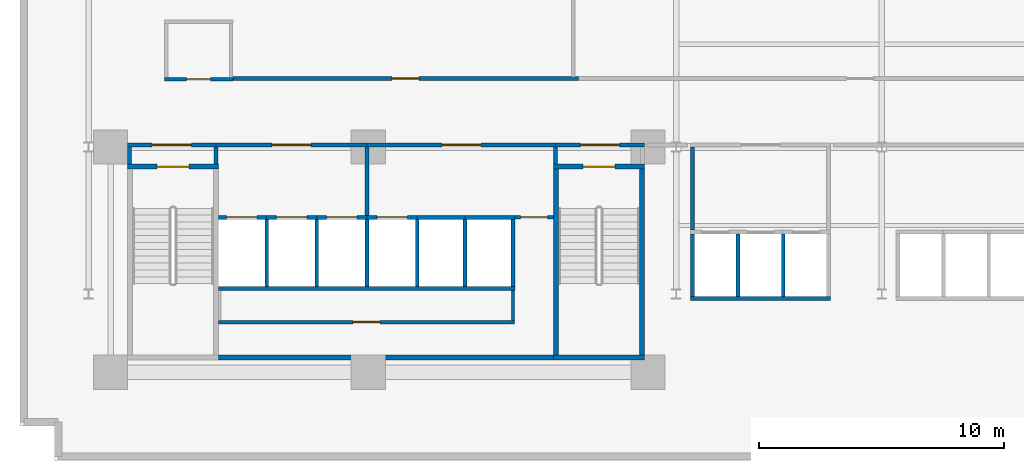
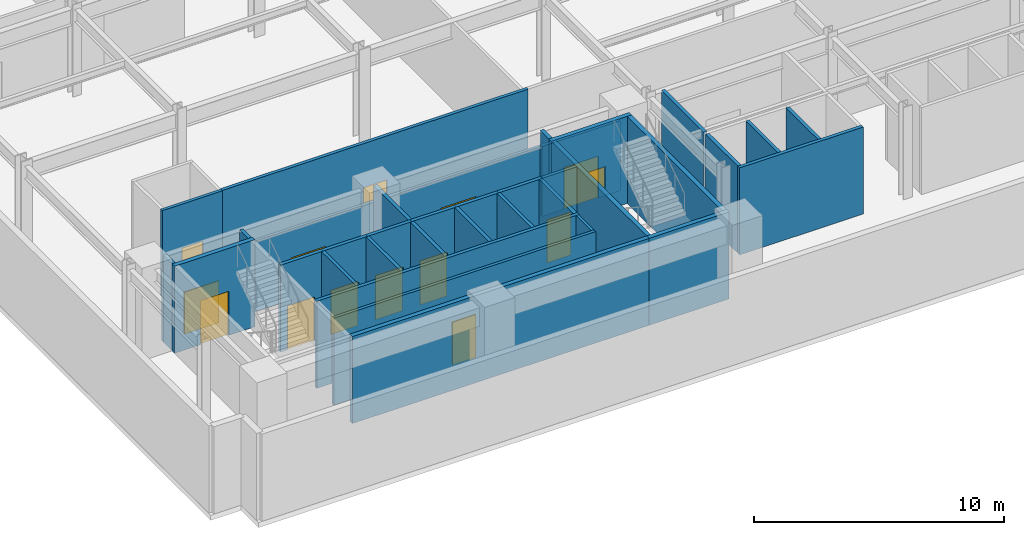
# One storey, part 14 of 26: 37 walls, 14 doors, 14 openings.
"""IFC4 building model written with IfcOpenShell, lengths in metres."""

from ifc_helpers import new_model, si_unit, direction, frame, frame_2d, origin, place, context, subcontext, project, spatial, rectangle, extrude, material, layer, layer_set, type_object, element, fill, save


model = new_model("IFC4")

# Units and contexts
model_context = context("Model", 3, precision=1e-05, world=origin(), true_north=direction((0.0, 1.0)))
body_context = subcontext(model_context, "Body", "Model", "MODEL_VIEW")
ifc_project = project(units=[si_unit("LENGTHUNIT", "METRE"), si_unit("AREAUNIT", "SQUARE_METRE"), si_unit("VOLUMEUNIT", "CUBIC_METRE"), si_unit("PLANEANGLEUNIT", "RADIAN"), si_unit("MASSUNIT", "GRAM", prefix="KILO")], contexts=[model_context])

# Site, building, storey
site_placement = place(None, origin())
site = spatial("IfcSite", under=ifc_project, at=site_placement, CompositionType="ELEMENT")
building_placement = place(site_placement, origin())
building = spatial("IfcBuilding", under=site, at=building_placement, Name="Varnakote Quay Hospital", CompositionType="ELEMENT")
storey_placement = place(building_placement, frame((0.0, 0.0, 9.0)))
storey = spatial("IfcBuildingStorey", under=building, at=storey_placement, Name="L02", CompositionType="ELEMENT", Elevation=9.0)

# Wall
ifc_material_1 = material(Name="Fire-rated acoustic gypsum stud wall", Category="gypsum")
ifc_layer_1 = layer(ifc_material_1, 0.159912109375)
ifc_layer_set_1 = layer_set([ifc_layer_1], Name="Fire-rated acoustic gypsum stud wall")
wall_type_1 = type_object("IfcWallType", Name="WL-COMP-160", PredefinedType="PARTITIONING", material=ifc_layer_set_1)
wall_1_placement = place(storey_placement, frame((2.8798828125, 11.300048828125, 0.0), z_axis=(0.0, 0.0, 1.0), x_axis=(0.0, 1.0, 0.0)))
element("IfcWall", 1, at=wall_1_placement, inside=storey, type_object=wall_type_1, Name="L02 West Stair Vestibule West Wall", PredefinedType="PARTITIONING", context=body_context, shape_type="SweptSolid", body=[
    extrude(rectangle(XDim=0.699951171875, YDim=0.159912109375, at=frame_2d((0.35009765625, 0.0))), origin(), (0.0, 0.0, 1.0), 4.25),
])

# Wall, opening, door
wall_2_placement = place(storey_placement, frame((2.800048828125, 12.080078125, 0.0), z_axis=(0.0, 0.0, 1.0), x_axis=(1.0, 0.0, 0.0)))
wall_2 = element("IfcWall", 2, at=wall_2_placement, inside=storey, type_object=wall_type_1, Name="L02 West Stair Vestibule Smoke Wall", PredefinedType="PARTITIONING", context=body_context, shape_type="SweptSolid", body=[
    extrude(rectangle(XDim=3.599853515625, YDim=0.159912109375, at=frame_2d((1.7998046875, 0.0))), origin(), (0.0, 0.0, 1.0), 3.425048828125),
])
opening_1_placement = place(wall_2_placement, frame((1.0, 0.0, 0.0)))
opening_1 = element("IfcOpeningElement", 3, at=opening_1_placement, cuts=wall_2, Name="Opening D-ST1L-L02", PredefinedType="OPENING", context=body_context, shape_type="SweptSolid", body=[
    extrude(rectangle(XDim=1.60009765625, YDim=2.050048828125, at=frame_2d((0.800048828125, 1.02490234375))), frame((0.0, 0.08984375, 0.0), z_axis=(0.0, -1.0, 0.0), x_axis=(1.0, 0.0, 0.0)), (0.0, 0.0, 1.0), 0.179931640625),
])
ifc_material_2 = material(Name="Fire-rated double smoke lobby door")
door_type_1 = type_object("IfcDoorType", Name="DR-LOBBY-FD60S-1600x2150", OperationType="NOTDEFINED", PredefinedType="DOOR", material=ifc_material_2)
door_1_placement = place(opening_1_placement, origin())
door_1 = element("IfcDoor", 4, at=door_1_placement, inside=storey, type_object=door_type_1, Name="L02 West Stair Vestibule Smoke Door", OperationType="DOUBLE_DOOR_SINGLE_SWING", OverallHeight=2.050048828125, OverallWidth=1.60009765625, PredefinedType="DOOR", context=body_context, shape_type="SweptSolid", body=[
    extrude(rectangle(XDim=1.60009765625, YDim=2.050048828125, at=frame_2d((0.800048828125, 1.02490234375))), frame((0.0, 0.02490234375, 0.0), z_axis=(0.0, -1.0, 0.0), x_axis=(1.0, 0.0, 0.0)), (0.0, 0.0, 1.0), 0.050048828125),
])
fill(opening_1, door_1)

# Wall
wall_3_placement = place(storey_placement, frame((6.39990234375, 11.300048828125, 0.0), z_axis=(0.0, 0.0, 1.0), x_axis=(0.0, 1.0, 0.0)))
element("IfcWall", 5, at=wall_3_placement, inside=storey, type_object=wall_type_1, Name="L02 Firefighting Lobby West Wall", PredefinedType="PARTITIONING", context=body_context, shape_type="SweptSolid", body=[
    extrude(rectangle(XDim=0.699951171875, YDim=0.159912109375, at=frame_2d((0.35009765625, 0.0))), origin(), (0.0, 0.0, 1.0), 4.25),
])

# Wall, opening, door
wall_4_placement = place(storey_placement, frame((6.39990234375, 12.080078125, 0.0), z_axis=(0.0, 0.0, 1.0), x_axis=(1.0, 0.0, 0.0)))
wall_4 = element("IfcWall", 6, at=wall_4_placement, inside=storey, type_object=wall_type_1, Name="L02 Firefighting Lift Lobby Compartment Wall", PredefinedType="PARTITIONING", context=body_context, shape_type="SweptSolid", body=[
    extrude(rectangle(XDim=6.18017578125, YDim=0.159912109375, at=frame_2d((3.090087890625, 0.0))), origin(), (0.0, 0.0, 1.0), 3.425048828125),
])
opening_2_placement = place(wall_4_placement, frame((2.2900390625, 0.0, 0.0)))
opening_2 = element("IfcOpeningElement", 7, at=opening_2_placement, cuts=wall_4, Name="Opening D-FFL-L02", PredefinedType="OPENING", context=body_context, shape_type="SweptSolid", body=[
    extrude(rectangle(XDim=1.60009765625, YDim=2.050048828125, at=frame_2d((0.800048828125, 1.02490234375))), frame((0.0, 0.08984375, 0.0), z_axis=(0.0, -1.0, 0.0), x_axis=(1.0, 0.0, 0.0)), (0.0, 0.0, 1.0), 0.179931640625),
])
door_2_placement = place(opening_2_placement, origin())
door_2 = element("IfcDoor", 8, at=door_2_placement, inside=storey, type_object=door_type_1, Name="L02 Firefighting Smoke Vestibule Door", OperationType="DOUBLE_DOOR_SINGLE_SWING", OverallHeight=2.050048828125, OverallWidth=1.60009765625, PredefinedType="DOOR", context=body_context, shape_type="SweptSolid", body=[
    extrude(rectangle(XDim=1.60009765625, YDim=2.050048828125, at=frame_2d((0.800048828125, 1.02490234375))), frame((0.0, 0.02490234375, 0.0), z_axis=(0.0, -1.0, 0.0), x_axis=(1.0, 0.0, 0.0)), (0.0, 0.0, 1.0), 0.050048828125),
])
fill(opening_2, door_2)

# Wall
wall_5_placement = place(storey_placement, frame((12.580078125, 9.2099609375, 0.0), z_axis=(0.0, 0.0, 1.0), x_axis=(0.0, 1.0, 0.0)))
element("IfcWall", 9, at=wall_5_placement, inside=storey, type_object=wall_type_1, Name="L02 Firefighting to Service Lobby Wall", PredefinedType="PARTITIONING", context=body_context, shape_type="SweptSolid", body=[
    extrude(rectangle(XDim=2.7900390625, YDim=0.159912109375, at=frame_2d((1.39501953125, 0.0))), origin(), (0.0, 0.0, 1.0), 4.25),
])

# Wall, opening, door
wall_6_placement = place(storey_placement, frame((12.580078125, 12.080078125, 0.0), z_axis=(0.0, 0.0, 1.0), x_axis=(1.0, 0.0, 0.0)))
wall_6 = element("IfcWall", 10, at=wall_6_placement, inside=storey, type_object=wall_type_1, Name="L02 Clinical Bed Lift Lobby Wall", PredefinedType="PARTITIONING", context=body_context, shape_type="SweptSolid", body=[
    extrude(rectangle(XDim=7.699951171875, YDim=0.159912109375, at=frame_2d((3.85009765625, 0.0))), origin(), (0.0, 0.0, 1.0), 3.425048828125),
])
opening_3_placement = place(wall_6_placement, frame((3.050048828125, 0.0, 0.0)))
opening_3 = element("IfcOpeningElement", 11, at=opening_3_placement, cuts=wall_6, Name="Opening D-SVL-L02", PredefinedType="OPENING", context=body_context, shape_type="SweptSolid", body=[
    extrude(rectangle(XDim=1.60009765625, YDim=2.050048828125, at=frame_2d((0.800048828125, 1.02490234375))), frame((0.0, 0.08984375, 0.0), z_axis=(0.0, -1.0, 0.0), x_axis=(1.0, 0.0, 0.0)), (0.0, 0.0, 1.0), 0.179931640625),
])
door_3_placement = place(opening_3_placement, origin())
door_3 = element("IfcDoor", 12, at=door_3_placement, inside=storey, type_object=door_type_1, Name="L02 Clinical Core Smoke Vestibule Door", OperationType="DOUBLE_DOOR_SINGLE_SWING", OverallHeight=2.050048828125, OverallWidth=1.60009765625, PredefinedType="DOOR", context=body_context, shape_type="SweptSolid", body=[
    extrude(rectangle(XDim=1.60009765625, YDim=2.050048828125, at=frame_2d((0.800048828125, 1.02490234375))), frame((0.0, 0.02490234375, 0.0), z_axis=(0.0, -1.0, 0.0), x_axis=(1.0, 0.0, 0.0)), (0.0, 0.0, 1.0), 0.050048828125),
])
fill(opening_3, door_3)

# Wall
wall_7_placement = place(storey_placement, frame((20.280029296875, 11.300048828125, 0.0), z_axis=(0.0, 0.0, 1.0), x_axis=(0.0, 1.0, 0.0)))
element("IfcWall", 13, at=wall_7_placement, inside=storey, type_object=wall_type_1, Name="L02 East Stair Vestibule Divider Wall", PredefinedType="PARTITIONING", context=body_context, shape_type="SweptSolid", body=[
    extrude(rectangle(XDim=0.699951171875, YDim=0.159912109375, at=frame_2d((0.35009765625, 0.0))), origin(), (0.0, 0.0, 1.0), 4.25),
])

# Wall, opening, door
wall_8_placement = place(storey_placement, frame((20.280029296875, 12.080078125, 0.0), z_axis=(0.0, 0.0, 1.0), x_axis=(1.0, 0.0, 0.0)))
wall_8 = element("IfcWall", 14, at=wall_8_placement, inside=storey, type_object=wall_type_1, Name="L02 East Stair Vestibule Smoke Wall", PredefinedType="PARTITIONING", context=body_context, shape_type="SweptSolid", body=[
    extrude(rectangle(XDim=3.619873046875, YDim=0.159912109375, at=frame_2d((1.81005859375, 0.0))), origin(), (0.0, 0.0, 1.0), 3.425048828125),
])
opening_4_placement = place(wall_8_placement, frame((1.010009765625, 0.0, 0.0)))
opening_4 = element("IfcOpeningElement", 15, at=opening_4_placement, cuts=wall_8, Name="Opening D-ST2L-L02", PredefinedType="OPENING", context=body_context, shape_type="SweptSolid", body=[
    extrude(rectangle(XDim=1.60009765625, YDim=2.050048828125, at=frame_2d((0.800048828125, 1.02490234375))), frame((0.0, 0.08984375, 0.0), z_axis=(0.0, -1.0, 0.0), x_axis=(1.0, 0.0, 0.0)), (0.0, 0.0, 1.0), 0.179931640625),
])
door_4_placement = place(opening_4_placement, origin())
door_4 = element("IfcDoor", 16, at=door_4_placement, inside=storey, type_object=door_type_1, Name="L02 East Stair Vestibule Smoke Door", OperationType="DOUBLE_DOOR_SINGLE_SWING", OverallHeight=2.050048828125, OverallWidth=1.60009765625, PredefinedType="DOOR", context=body_context, shape_type="SweptSolid", body=[
    extrude(rectangle(XDim=1.60009765625, YDim=2.050048828125, at=frame_2d((0.800048828125, 1.02490234375))), frame((0.0, 0.02490234375, 0.0), z_axis=(0.0, -1.0, 0.0), x_axis=(1.0, 0.0, 0.0)), (0.0, 0.0, 1.0), 0.050048828125),
])
fill(opening_4, door_4)

# Walls
wall_9_placement = place(storey_placement, frame((25.8701171875, 8.610107421875, 0.0), z_axis=(0.0, 0.0, 1.0), x_axis=(0.0, 1.0, 0.0)))
element("IfcWall", 17, at=wall_9_placement, inside=storey, type_object=wall_type_1, Name="L02 Low-Rise Lift Lobby West Wall", PredefinedType="PARTITIONING", context=body_context, shape_type="SweptSolid", body=[
    extrude(rectangle(XDim=3.389892578125, YDim=0.159912109375, at=frame_2d((1.69482421875, 0.0))), origin(), (0.0, 0.0, 1.0), 4.25),
])
ifc_material_3 = material(Name="Concrete N80 (f'c 80 MPa)", Category="concrete")
ifc_layer_2 = layer(ifc_material_3, 0.199951171875)
ifc_layer_set_2 = layer_set([ifc_layer_2], Name="Concrete N80 (f'c 80 MPa)")
wall_type_2 = type_object("IfcWallType", Name="WL-CORE-N80-200", PredefinedType="SHEAR", material=ifc_layer_set_2)
wall_10_placement = place(storey_placement, frame((6.5, 3.39990234375, 0.0), z_axis=(0.0, 0.0, 1.0), x_axis=(1.0, 0.0, 0.0)))
element("IfcWall", 18, at=wall_10_placement, inside=storey, type_object=wall_type_2, Name="L02 Rear Core South Shear Wall", PredefinedType="SHEAR", context=body_context, shape_type="SweptSolid", body=[
    extrude(rectangle(XDim=13.699951171875, YDim=0.199951171875, at=frame_2d((6.85009765625, 0.0))), origin(), (0.0, 0.0, 1.0), 4.25),
])
ifc_material_4 = material(Name="Concrete N50 (f'c 50 MPa)", Category="concrete")
ifc_layer_3 = layer(ifc_material_4, 0.14990234375)
ifc_layer_set_3 = layer_set([ifc_layer_3], Name="Concrete N50 (f'c 50 MPa)")
wall_type_3 = type_object("IfcWallType", Name="WL-SHAFT-N50-150", PredefinedType="SHEAR", material=ifc_layer_set_3)
for number, where, z_axis, x_axis, name in (
    (19, (8.47509765625, 6.300048828125, 0.0), (0.0, 0.0, 1.0), (0.0, 1.0, 0.0), "L02 LF-FF1 Hoistway Divider Wall"),
    (20, (10.52490234375, 6.300048828125, 0.0), (0.0, 0.0, 1.0), (0.0, 1.0, 0.0), "L02 LF-FF2 Hoistway Divider Wall"),
    (21, (12.574951171875, 6.300048828125, 0.0), (0.0, 0.0, 1.0), (0.0, 1.0, 0.0), "L02 LF-SV1 Hoistway Divider Wall"),
    (22, (14.625, 6.300048828125, 0.0), (0.0, 0.0, 1.0), (0.0, 1.0, 0.0), "L02 LF-SV2 Hoistway Divider Wall"),
    (23, (16.574951171875, 6.300048828125, 0.0), (0.0, 0.0, 1.0), (0.0, 1.0, 0.0), "L02 LF-PH1 Hoistway Divider Wall"),
):
    element("IfcWall", number, at=place(storey_placement, frame(where, z_axis=z_axis, x_axis=x_axis)), inside=storey, type_object=wall_type_3, Name=name, PredefinedType="SHEAR", context=body_context, shape_type="SweptSolid", body=[
        extrude(rectangle(XDim=2.75, YDim=0.14990234375, at=frame_2d((1.375, 0.0))), origin(), (0.0, 0.0, 1.0), 4.25),
    ])
for number, where, z_axis, x_axis, name in (
    (24, (27.72509765625, 5.89990234375, 0.0), (0.0, 0.0, 1.0), (0.0, 1.0, 0.0), "L02 LF-PL1 Hoistway Divider Wall"),
    (25, (29.574951171875, 5.89990234375, 0.0), (0.0, 0.0, 1.0), (0.0, 1.0, 0.0), "L02 LF-PL2 Hoistway Divider Wall"),
):
    element("IfcWall", number, at=place(storey_placement, frame(where, z_axis=z_axis, x_axis=x_axis)), inside=storey, type_object=wall_type_3, Name=name, PredefinedType="SHEAR", context=body_context, shape_type="SweptSolid", body=[
        extrude(rectangle(XDim=2.550048828125, YDim=0.14990234375, at=frame_2d((1.27490234375, 0.0))), origin(), (0.0, 0.0, 1.0), 4.25),
    ])
ifc_material_5 = material(Name="Concrete N50 (f'c 50 MPa)", Category="concrete")
ifc_layer_4 = layer(ifc_material_5, 0.159912109375)
ifc_layer_set_4 = layer_set([ifc_layer_4], Name="Concrete N50 (f'c 50 MPa)")
wall_type_4 = type_object("IfcWallType", Name="WL-SHAFT-N50-160", PredefinedType="SHEAR", material=ifc_layer_set_4)
wall_11_placement = place(storey_placement, frame((6.5, 6.219970703125, 0.0), z_axis=(0.0, 0.0, 1.0), x_axis=(1.0, 0.0, 0.0)))
element("IfcWall", 26, at=wall_11_placement, inside=storey, type_object=wall_type_4, Name="L02 REAR Lift Bank Back Shear Wall", PredefinedType="SHEAR", context=body_context, shape_type="SweptSolid", body=[
    extrude(rectangle(XDim=12.110107421875, YDim=0.159912109375, at=frame_2d((6.05517578125, 0.0))), origin(), (0.0, 0.0, 1.0), 4.25),
])
wall_12_placement = place(storey_placement, frame((18.530029296875, 6.300048828125, 0.0), z_axis=(0.0, 0.0, 1.0), x_axis=(0.0, 1.0, 0.0)))
element("IfcWall", 27, at=wall_12_placement, inside=storey, type_object=wall_type_4, Name="L02 REAR Lift Bank East Shear Wall", PredefinedType="SHEAR", context=body_context, shape_type="SweptSolid", body=[
    extrude(rectangle(XDim=2.75, YDim=0.159912109375, at=frame_2d((1.375, 0.0))), origin(), (0.0, 0.0, 1.0), 4.25),
])

# Wall, opening, door
wall_13_placement = place(storey_placement, frame((6.5, 9.1298828125, 0.0), z_axis=(0.0, 0.0, 1.0), x_axis=(1.0, 0.0, 0.0)))
wall_13 = element("IfcWall", 28, at=wall_13_placement, inside=storey, type_object=wall_type_4, Name="L02 LF-FF1 Hoistway Front Wall", PredefinedType="SHEAR", context=body_context, shape_type="SweptSolid", body=[
    extrude(rectangle(XDim=1.97509765625, YDim=0.159912109375, at=frame_2d((0.987548828125, 0.0))), origin(), (0.0, 0.0, 1.0), 4.25),
])
opening_5_placement = place(wall_13_placement, frame((0.324951171875, 0.0, 0.0)))
opening_5 = element("IfcOpeningElement", 29, at=opening_5_placement, cuts=wall_13, Name="Opening LD-FF1-L02", PredefinedType="OPENING", context=body_context, shape_type="SweptSolid", body=[
    extrude(rectangle(XDim=1.25, YDim=2.14990234375, at=frame_2d((0.625, 1.074951171875))), frame((0.0, 0.08984375, 0.0), z_axis=(0.0, -1.0, 0.0), x_axis=(1.0, 0.0, 0.0)), (0.0, 0.0, 1.0), 0.179931640625),
])
ifc_material_6 = material(Name="Stainless steel lift landing sliding door", Category="steel")
door_type_2 = type_object("IfcDoorType", Name="DR-LIFT-LD-1250x2150", OperationType="NOTDEFINED", PredefinedType="DOOR", material=ifc_material_6)
door_5_placement = place(opening_5_placement, origin())
door_5 = element("IfcDoor", 30, at=door_5_placement, inside=storey, type_object=door_type_2, Name="L02 LF-FF1 Lift Landing Sliding Door", OperationType="SLIDING_TO_LEFT", OverallHeight=2.14990234375, OverallWidth=1.25, PredefinedType="DOOR", context=body_context, shape_type="SweptSolid", body=[
    extrude(rectangle(XDim=1.25, YDim=2.14990234375, at=frame_2d((0.625, 1.074951171875))), frame((0.0, 0.02490234375, 0.0), z_axis=(0.0, -1.0, 0.0), x_axis=(1.0, 0.0, 0.0)), (0.0, 0.0, 1.0), 0.050048828125),
])
fill(opening_5, door_5)

wall_14_placement = place(storey_placement, frame((8.47509765625, 9.1298828125, 0.0), z_axis=(0.0, 0.0, 1.0), x_axis=(1.0, 0.0, 0.0)))
wall_14 = element("IfcWall", 31, at=wall_14_placement, inside=storey, type_object=wall_type_4, Name="L02 LF-FF2 Hoistway Front Wall", PredefinedType="SHEAR", context=body_context, shape_type="SweptSolid", body=[
    extrude(rectangle(XDim=2.0498046875, YDim=0.159912109375, at=frame_2d((1.02490234375, 0.0))), origin(), (0.0, 0.0, 1.0), 4.25),
])
opening_6_placement = place(wall_14_placement, frame((0.39990234375, 0.0, 0.0)))
opening_6 = element("IfcOpeningElement", 32, at=opening_6_placement, cuts=wall_14, Name="Opening LD-FF2-L02", PredefinedType="OPENING", context=body_context, shape_type="SweptSolid", body=[
    extrude(rectangle(XDim=1.25, YDim=2.14990234375, at=frame_2d((0.625, 1.074951171875))), frame((0.0, 0.08984375, 0.0), z_axis=(0.0, -1.0, 0.0), x_axis=(1.0, 0.0, 0.0)), (0.0, 0.0, 1.0), 0.179931640625),
])
door_6_placement = place(opening_6_placement, origin())
door_6 = element("IfcDoor", 33, at=door_6_placement, inside=storey, type_object=door_type_2, Name="L02 LF-FF2 Lift Landing Sliding Door", OperationType="SLIDING_TO_LEFT", OverallHeight=2.14990234375, OverallWidth=1.25, PredefinedType="DOOR", context=body_context, shape_type="SweptSolid", body=[
    extrude(rectangle(XDim=1.25, YDim=2.14990234375, at=frame_2d((0.625, 1.074951171875))), frame((0.0, 0.02490234375, 0.0), z_axis=(0.0, -1.0, 0.0), x_axis=(1.0, 0.0, 0.0)), (0.0, 0.0, 1.0), 0.050048828125),
])
fill(opening_6, door_6)

wall_15_placement = place(storey_placement, frame((10.52490234375, 9.1298828125, 0.0), z_axis=(0.0, 0.0, 1.0), x_axis=(1.0, 0.0, 0.0)))
wall_15 = element("IfcWall", 34, at=wall_15_placement, inside=storey, type_object=wall_type_4, Name="L02 LF-SV1 Hoistway Front Wall", PredefinedType="SHEAR", context=body_context, shape_type="SweptSolid", body=[
    extrude(rectangle(XDim=2.050048828125, YDim=0.159912109375, at=frame_2d((1.02490234375, 0.0))), origin(), (0.0, 0.0, 1.0), 4.25),
])
opening_7_placement = place(wall_15_placement, frame((0.39990234375, 0.0, 0.0)))
opening_7 = element("IfcOpeningElement", 35, at=opening_7_placement, cuts=wall_15, Name="Opening LD-SV1-L02", PredefinedType="OPENING", context=body_context, shape_type="SweptSolid", body=[
    extrude(rectangle(XDim=1.25, YDim=2.14990234375, at=frame_2d((0.625, 1.074951171875))), frame((0.0, 0.08984375, 0.0), z_axis=(0.0, -1.0, 0.0), x_axis=(1.0, 0.0, 0.0)), (0.0, 0.0, 1.0), 0.179931640625),
])
door_7_placement = place(opening_7_placement, origin())
door_7 = element("IfcDoor", 36, at=door_7_placement, inside=storey, type_object=door_type_2, Name="L02 LF-SV1 Lift Landing Sliding Door", OperationType="SLIDING_TO_LEFT", OverallHeight=2.14990234375, OverallWidth=1.25, PredefinedType="DOOR", context=body_context, shape_type="SweptSolid", body=[
    extrude(rectangle(XDim=1.25, YDim=2.14990234375, at=frame_2d((0.625, 1.074951171875))), frame((0.0, 0.02490234375, 0.0), z_axis=(0.0, -1.0, 0.0), x_axis=(1.0, 0.0, 0.0)), (0.0, 0.0, 1.0), 0.050048828125),
])
fill(opening_7, door_7)

wall_16_placement = place(storey_placement, frame((12.574951171875, 9.1298828125, 0.0), z_axis=(0.0, 0.0, 1.0), x_axis=(1.0, 0.0, 0.0)))
wall_16 = element("IfcWall", 37, at=wall_16_placement, inside=storey, type_object=wall_type_4, Name="L02 LF-SV2 Hoistway Front Wall", PredefinedType="SHEAR", context=body_context, shape_type="SweptSolid", body=[
    extrude(rectangle(XDim=2.050048828125, YDim=0.159912109375, at=frame_2d((1.02490234375, 0.0))), origin(), (0.0, 0.0, 1.0), 4.25),
])
opening_8_placement = place(wall_16_placement, frame((0.39990234375, 0.0, 0.0)))
opening_8 = element("IfcOpeningElement", 38, at=opening_8_placement, cuts=wall_16, Name="Opening LD-SV2-L02", PredefinedType="OPENING", context=body_context, shape_type="SweptSolid", body=[
    extrude(rectangle(XDim=1.25, YDim=2.14990234375, at=frame_2d((0.625, 1.074951171875))), frame((0.0, 0.08984375, 0.0), z_axis=(0.0, -1.0, 0.0), x_axis=(1.0, 0.0, 0.0)), (0.0, 0.0, 1.0), 0.179931640625),
])
door_8_placement = place(opening_8_placement, origin())
door_8 = element("IfcDoor", 39, at=door_8_placement, inside=storey, type_object=door_type_2, Name="L02 LF-SV2 Lift Landing Sliding Door", OperationType="SLIDING_TO_LEFT", OverallHeight=2.14990234375, OverallWidth=1.25, PredefinedType="DOOR", context=body_context, shape_type="SweptSolid", body=[
    extrude(rectangle(XDim=1.25, YDim=2.14990234375, at=frame_2d((0.625, 1.074951171875))), frame((0.0, 0.02490234375, 0.0), z_axis=(0.0, -1.0, 0.0), x_axis=(1.0, 0.0, 0.0)), (0.0, 0.0, 1.0), 0.050048828125),
])
fill(opening_8, door_8)

# Walls
wall_17_placement = place(storey_placement, frame((14.625, 9.1298828125, 0.0), z_axis=(0.0, 0.0, 1.0), x_axis=(1.0, 0.0, 0.0)))
element("IfcWall", 40, at=wall_17_placement, inside=storey, type_object=wall_type_4, Name="L02 LF-PH1 Hoistway Front Wall", PredefinedType="SHEAR", context=body_context, shape_type="SweptSolid", body=[
    extrude(rectangle(XDim=1.949951171875, YDim=0.159912109375, at=frame_2d((0.97509765625, 0.0))), origin(), (0.0, 0.0, 1.0), 4.25),
])
wall_18_placement = place(storey_placement, frame((16.574951171875, 9.1298828125, 0.0), z_axis=(0.0, 0.0, 1.0), x_axis=(1.0, 0.0, 0.0)))
element("IfcWall", 41, at=wall_18_placement, inside=storey, type_object=wall_type_4, Name="L02 LF-PH2 Hoistway Front Wall", PredefinedType="SHEAR", context=body_context, shape_type="SweptSolid", body=[
    extrude(rectangle(XDim=2.03515625, YDim=0.159912109375, at=frame_2d((1.017578125, 0.0))), origin(), (0.0, 0.0, 1.0), 4.25),
])
wall_19_placement = place(storey_placement, frame((25.7900390625, 5.820068359375, 0.0), z_axis=(0.0, 0.0, 1.0), x_axis=(1.0, 0.0, 0.0)))
element("IfcWall", 42, at=wall_19_placement, inside=storey, type_object=wall_type_4, Name="L02 LOW Lift Bank Back Shear Wall", PredefinedType="SHEAR", context=body_context, shape_type="SweptSolid", body=[
    extrude(rectangle(XDim=5.719970703125, YDim=0.159912109375, at=frame_2d((2.85986328125, 0.0))), origin(), (0.0, 0.0, 1.0), 4.25),
])
wall_20_placement = place(storey_placement, frame((25.8701171875, 5.89990234375, 0.0), z_axis=(0.0, 0.0, 1.0), x_axis=(0.0, 1.0, 0.0)))
element("IfcWall", 43, at=wall_20_placement, inside=storey, type_object=wall_type_4, Name="L02 LOW Lift Bank West Shear Wall", PredefinedType="SHEAR", context=body_context, shape_type="SweptSolid", body=[
    extrude(rectangle(XDim=2.550048828125, YDim=0.159912109375, at=frame_2d((1.27490234375, 0.0))), origin(), (0.0, 0.0, 1.0), 4.25),
])

# Wall, opening, door
ifc_material_7 = material(Name="Concrete N50 (f'c 50 MPa)", Category="concrete")
ifc_layer_5 = layer(ifc_material_7, 0.199951171875)
ifc_layer_set_5 = layer_set([ifc_layer_5], Name="Concrete N50 (f'c 50 MPa)")
wall_type_5 = type_object("IfcWallType", Name="WL-SHAFT-N50-200", PredefinedType="SHEAR", material=ifc_layer_set_5)
wall_21_placement = place(storey_placement, frame((2.800048828125, 11.199951171875, 0.0), z_axis=(0.0, 0.0, 1.0), x_axis=(1.0, 0.0, 0.0)))
wall_21 = element("IfcWall", 44, at=wall_21_placement, inside=storey, type_object=wall_type_5, Name="L02 Stair ST1 Exit Wall", PredefinedType="SHEAR", context=body_context, shape_type="SweptSolid", body=[
    extrude(rectangle(XDim=3.699951171875, YDim=0.199951171875, at=frame_2d((1.85009765625, 0.0))), origin(), (0.0, 0.0, 1.0), 4.25),
])
opening_9_placement = place(wall_21_placement, frame((1.199951171875, 0.0, 0.0)))
opening_9 = element("IfcOpeningElement", 45, at=opening_9_placement, cuts=wall_21, Name="Opening D-ST1-L02", PredefinedType="OPENING", context=body_context, shape_type="SweptSolid", body=[
    extrude(rectangle(XDim=1.300048828125, YDim=2.14990234375, at=frame_2d((0.64990234375, 1.074951171875))), frame((0.0, 0.10986328125, 0.0), z_axis=(0.0, -1.0, 0.0), x_axis=(1.0, 0.0, 0.0)), (0.0, 0.0, 1.0), 0.219970703125),
])
ifc_material_8 = material(Name="Fire-rated ceramic-glazed timber exit door", Category="wood")
door_type_3 = type_object("IfcDoorType", Name="DR-STAIR-FD60S-1300x2150", OperationType="NOTDEFINED", PredefinedType="DOOR", material=ifc_material_8)
door_9_placement = place(opening_9_placement, origin())
door_9 = element("IfcDoor", 46, at=door_9_placement, inside=storey, type_object=door_type_3, Name="L02 Stair ST1 Fire Exit Door", OperationType="SINGLE_SWING_RIGHT", OverallHeight=2.14990234375, OverallWidth=1.300048828125, PredefinedType="DOOR", context=body_context, shape_type="SweptSolid", body=[
    extrude(rectangle(XDim=1.300048828125, YDim=2.14990234375, at=frame_2d((0.64990234375, 1.074951171875))), frame((0.0, 0.02490234375, 0.0), z_axis=(0.0, -1.0, 0.0), x_axis=(1.0, 0.0, 0.0)), (0.0, 0.0, 1.0), 0.050048828125),
])
fill(opening_9, door_9)

# Walls
wall_22_placement = place(storey_placement, frame((20.199951171875, 3.39990234375, 0.0), z_axis=(0.0, 0.0, 1.0), x_axis=(1.0, 0.0, 0.0)))
element("IfcWall", 47, at=wall_22_placement, inside=storey, type_object=wall_type_5, Name="L02 Stair ST2 South Shaft Wall", PredefinedType="SHEAR", context=body_context, shape_type="SweptSolid", body=[
    extrude(rectangle(XDim=3.699951171875, YDim=0.199951171875, at=frame_2d((1.85009765625, 0.0))), origin(), (0.0, 0.0, 1.0), 4.25),
])
for number, where, z_axis, x_axis, name in (
    (48, (20.300048828125, 3.5, 0.0), (0.0, 0.0, 1.0), (0.0, 1.0, 0.0), "L02 Stair ST2 West Shaft Wall"),
    (49, (23.800048828125, 3.5, 0.0), (0.0, 0.0, 1.0), (0.0, 1.0, 0.0), "L02 Stair ST2 East Shaft Wall"),
):
    element("IfcWall", number, at=place(storey_placement, frame(where, z_axis=z_axis, x_axis=x_axis)), inside=storey, type_object=wall_type_5, Name=name, PredefinedType="SHEAR", context=body_context, shape_type="SweptSolid", body=[
        extrude(rectangle(XDim=7.60009765625, YDim=0.199951171875, at=frame_2d((3.800048828125, 0.0))), origin(), (0.0, 0.0, 1.0), 4.25),
    ])

# Wall, opening, door
wall_23_placement = place(storey_placement, frame((20.199951171875, 11.199951171875, 0.0), z_axis=(0.0, 0.0, 1.0), x_axis=(1.0, 0.0, 0.0)))
wall_23 = element("IfcWall", 50, at=wall_23_placement, inside=storey, type_object=wall_type_5, Name="L02 Stair ST2 Exit Wall", PredefinedType="SHEAR", context=body_context, shape_type="SweptSolid", body=[
    extrude(rectangle(XDim=3.699951171875, YDim=0.199951171875, at=frame_2d((1.85009765625, 0.0))), origin(), (0.0, 0.0, 1.0), 4.25),
])
opening_10_placement = place(wall_23_placement, frame((1.199951171875, 0.0, 0.0)))
opening_10 = element("IfcOpeningElement", 51, at=opening_10_placement, cuts=wall_23, Name="Opening D-ST2-L02", PredefinedType="OPENING", context=body_context, shape_type="SweptSolid", body=[
    extrude(rectangle(XDim=1.300048828125, YDim=2.14990234375, at=frame_2d((0.64990234375, 1.074951171875))), frame((0.0, 0.10986328125, 0.0), z_axis=(0.0, -1.0, 0.0), x_axis=(1.0, 0.0, 0.0)), (0.0, 0.0, 1.0), 0.219970703125),
])
door_10_placement = place(opening_10_placement, origin())
door_10 = element("IfcDoor", 52, at=door_10_placement, inside=storey, type_object=door_type_3, Name="L02 Stair ST2 Fire Exit Door", OperationType="SINGLE_SWING_LEFT", OverallHeight=2.14990234375, OverallWidth=1.300048828125, PredefinedType="DOOR", context=body_context, shape_type="SweptSolid", body=[
    extrude(rectangle(XDim=1.300048828125, YDim=2.14990234375, at=frame_2d((0.64990234375, 1.074951171875))), frame((0.0, 0.02490234375, 0.0), z_axis=(0.0, -1.0, 0.0), x_axis=(1.0, 0.0, 0.0)), (0.0, 0.0, 1.0), 0.050048828125),
])
fill(opening_10, door_10)

# Wall
ifc_material_9 = material(Name="Smoke-proof clinical partition", Category="gypsum")
ifc_layer_6 = layer(ifc_material_9, 0.1201171875)
ifc_layer_set_6 = layer_set([ifc_layer_6], Name="Smoke-proof clinical partition")
wall_type_6 = type_object("IfcWallType", Name="WL-SMOKE-120", PredefinedType="PARTITIONING", material=ifc_layer_set_6)
wall_24_placement = place(storey_placement, frame((18.5400390625, 4.919921875, 0.0), z_axis=(0.0, 0.0, 1.0), x_axis=(0.0, 1.0, 0.0)))
element("IfcWall", 53, at=wall_24_placement, inside=storey, type_object=wall_type_6, Name="L02 Core Service Strip East Wall", PredefinedType="PARTITIONING", context=body_context, shape_type="SweptSolid", body=[
    extrude(rectangle(XDim=1.219970703125, YDim=0.1201171875, at=frame_2d((0.60986328125, 0.0))), origin(), (0.0, 0.0, 1.0), 4.25),
])

# Wall, opening, door
ifc_material_10 = material(Name="Fire-rated clinical gypsum partition", Category="gypsum")
ifc_layer_7 = layer(ifc_material_10, 0.139892578125)
ifc_layer_set_7 = layer_set([ifc_layer_7], Name="Fire-rated clinical gypsum partition")
wall_type_7 = type_object("IfcWallType", Name="WL-WARD-140", PredefinedType="PARTITIONING", material=ifc_layer_set_7)
wall_25_placement = place(storey_placement, frame((6.5, 4.85009765625, 0.0), z_axis=(0.0, 0.0, 1.0), x_axis=(1.0, 0.0, 0.0)))
wall_25 = element("IfcWall", 54, at=wall_25_placement, inside=storey, type_object=wall_type_7, Name="L02 Core Clean Linen Store South Wall", PredefinedType="PARTITIONING", context=body_context, shape_type="SweptSolid", body=[
    extrude(rectangle(XDim=12.10009765625, YDim=0.139892578125, at=frame_2d((6.050048828125, 0.0))), origin(), (0.0, 0.0, 1.0), 4.25),
])
opening_11_placement = place(wall_25_placement, frame((5.5, 0.0, 0.0)))
opening_11 = element("IfcOpeningElement", 55, at=opening_11_placement, cuts=wall_25, Name="Opening D-L02-CR01", PredefinedType="OPENING", context=body_context, shape_type="SweptSolid", body=[
    extrude(rectangle(XDim=1.10009765625, YDim=2.10009765625, at=frame_2d((0.550048828125, 1.050048828125))), frame((0.0, 0.079833984375, 0.0), z_axis=(0.0, -1.0, 0.0), x_axis=(1.0, 0.0, 0.0)), (0.0, 0.0, 1.0), 0.159912109375),
])
ifc_material_11 = material(Name="Acoustic timber clinical consult door", Category="wood")
door_type_4 = type_object("IfcDoorType", Name="DR-CLIN-FD30S-1100x2100", OperationType="NOTDEFINED", PredefinedType="DOOR", material=ifc_material_11)
door_11_placement = place(opening_11_placement, origin())
door_11 = element("IfcDoor", 56, at=door_11_placement, inside=storey, type_object=door_type_4, Name="L02 Core Clean Linen Store Door", OperationType="SINGLE_SWING_RIGHT", OverallHeight=2.10009765625, OverallWidth=1.10009765625, PredefinedType="DOOR", context=body_context, shape_type="SweptSolid", body=[
    extrude(rectangle(XDim=1.10009765625, YDim=2.10009765625, at=frame_2d((0.550048828125, 1.050048828125))), frame((0.0, 0.02490234375, 0.0), z_axis=(0.0, -1.0, 0.0), x_axis=(1.0, 0.0, 0.0)), (0.0, 0.0, 1.0), 0.050048828125),
])
fill(opening_11, door_11)

wall_26_placement = place(storey_placement, frame((18.610107421875, 9.1298828125, 0.0), z_axis=(0.0, 0.0, 1.0), x_axis=(1.0, 0.0, 0.0)))
wall_26 = element("IfcWall", 57, at=wall_26_placement, inside=storey, type_object=wall_type_7, Name="L02 Core Service Corridor North Door Wall", PredefinedType="PARTITIONING", context=body_context, shape_type="SweptSolid", body=[
    extrude(rectangle(XDim=1.58984375, YDim=0.139892578125, at=frame_2d((0.794921875, 0.0))), origin(), (0.0, 0.0, 1.0), 4.25),
])
opening_12_placement = place(wall_26_placement, frame((0.239990234375, 0.0, 0.0)))
opening_12 = element("IfcOpeningElement", 58, at=opening_12_placement, cuts=wall_26, Name="Opening D-CSRV-L02", PredefinedType="OPENING", context=body_context, shape_type="SweptSolid", body=[
    extrude(rectangle(XDim=1.10009765625, YDim=2.10009765625, at=frame_2d((0.550048828125, 1.050048828125))), frame((0.0, 0.079833984375, 0.0), z_axis=(0.0, -1.0, 0.0), x_axis=(1.0, 0.0, 0.0)), (0.0, 0.0, 1.0), 0.159912109375),
])
door_12_placement = place(opening_12_placement, origin())
door_12 = element("IfcDoor", 59, at=door_12_placement, inside=storey, type_object=door_type_4, Name="L02 Core Service Corridor Door", OperationType="SINGLE_SWING_LEFT", OverallHeight=2.10009765625, OverallWidth=1.10009765625, PredefinedType="DOOR", context=body_context, shape_type="SweptSolid", body=[
    extrude(rectangle(XDim=1.10009765625, YDim=2.10009765625, at=frame_2d((0.550048828125, 1.050048828125))), frame((0.0, 0.02490234375, 0.0), z_axis=(0.0, -1.0, 0.0), x_axis=(1.0, 0.0, 0.0)), (0.0, 0.0, 1.0), 0.050048828125),
])
fill(opening_12, door_12)

wall_27_placement = place(storey_placement, frame((4.31005859375, 14.77001953125, 0.0), z_axis=(0.0, 0.0, 1.0), x_axis=(1.0, 0.0, 0.0)))
wall_27 = element("IfcWall", 60, at=wall_27_placement, inside=storey, type_object=wall_type_7, Name="L02 Floor Unisex Accessible WC S Wall", PredefinedType="PARTITIONING", context=body_context, shape_type="SweptSolid", body=[
    extrude(rectangle(XDim=2.780029296875, YDim=0.139892578125, at=frame_2d((1.39013671875, 0.0))), origin(), (0.0, 0.0, 1.0), 4.25),
])
opening_13_placement = place(wall_27_placement, frame((0.89990234375, 0.0, 0.0)))
opening_13 = element("IfcOpeningElement", 61, at=opening_13_placement, cuts=wall_27, Name="Opening D-L02-EW01", PredefinedType="OPENING", context=body_context, shape_type="SweptSolid", body=[
    extrude(rectangle(XDim=0.97998046875, YDim=2.10009765625, at=frame_2d((0.489990234375, 1.050048828125))), frame((0.0, 0.079833984375, 0.0), z_axis=(0.0, -1.0, 0.0), x_axis=(1.0, 0.0, 0.0)), (0.0, 0.0, 1.0), 0.159912109375),
])
ifc_material_12 = material(Name="Accessible sanitary compartment door")
door_type_5 = type_object("IfcDoorType", Name="DR-WC-980x2100", OperationType="NOTDEFINED", PredefinedType="DOOR", material=ifc_material_12)
door_13_placement = place(opening_13_placement, origin())
door_13 = element("IfcDoor", 62, at=door_13_placement, inside=storey, type_object=door_type_5, Name="L02 Floor Unisex Accessible WC Door", OperationType="SINGLE_SWING_RIGHT", OverallHeight=2.10009765625, OverallWidth=0.97998046875, PredefinedType="DOOR", context=body_context, shape_type="SweptSolid", body=[
    extrude(rectangle(XDim=0.97998046875, YDim=2.10009765625, at=frame_2d((0.489990234375, 1.050048828125))), frame((0.0, 0.02490234375, 0.0), z_axis=(0.0, -1.0, 0.0), x_axis=(1.0, 0.0, 0.0)), (0.0, 0.0, 1.0), 0.050048828125),
])
fill(opening_13, door_13)

ifc_material_13 = material(Name="Fire-rated clinical gypsum partition", Category="gypsum")
ifc_layer_8 = layer(ifc_material_13, 0.14990234375)
ifc_layer_set_8 = layer_set([ifc_layer_8], Name="Fire-rated clinical gypsum partition")
wall_type_8 = type_object("IfcWallType", Name="WL-WARD-150", PredefinedType="PARTITIONING", material=ifc_layer_set_8)
wall_28_placement = place(storey_placement, frame((21.218017578125, 14.800048828125, 0.0), z_axis=(0.0, 0.0, 1.0), x_axis=(-1.0, 0.0, 0.0)))
wall_28 = element("IfcWall", 63, at=wall_28_placement, inside=storey, type_object=wall_type_8, Name="L02 Clinical Interior Partition", PredefinedType="PARTITIONING", context=body_context, shape_type="SweptSolid", body=[
    extrude(rectangle(XDim=14.1259765625, YDim=0.14990234375, at=frame_2d((7.06298828125, 0.0))), origin(), (0.0, 0.0, 1.0), 4.25),
])
opening_14_placement = place(wall_28_placement, frame((6.512939453125, 0.0, 0.0)))
opening_14 = element("IfcOpeningElement", 64, at=opening_14_placement, cuts=wall_28, Name="Opening D-L02-OR01", PredefinedType="OPENING", context=body_context, shape_type="SweptSolid", body=[
    extrude(rectangle(XDim=1.10009765625, YDim=2.10009765625, at=frame_2d((0.550048828125, 1.050048828125))), frame((0.0, 0.0849609375, 0.0), z_axis=(0.0, -1.0, 0.0), x_axis=(1.0, 0.0, 0.0)), (0.0, 0.0, 1.0), 0.169921875),
])
door_14_placement = place(opening_14_placement, origin())
door_14 = element("IfcDoor", 65, at=door_14_placement, inside=storey, type_object=door_type_4, Name="L02 Operating Theatre Treatment Suite 1-4 Door", OperationType="SINGLE_SWING_LEFT", OverallHeight=2.10009765625, OverallWidth=1.10009765625, PredefinedType="DOOR", context=body_context, shape_type="SweptSolid", body=[
    extrude(rectangle(XDim=1.10009765625, YDim=2.10009765625, at=frame_2d((0.550048828125, 1.050048828125))), frame((0.0, 0.02490234375, 0.0), z_axis=(0.0, -1.0, 0.0), x_axis=(1.0, 0.0, 0.0)), (0.0, 0.0, 1.0), 0.050048828125),
])
fill(opening_14, door_14)

save(model, "model.ifc")
